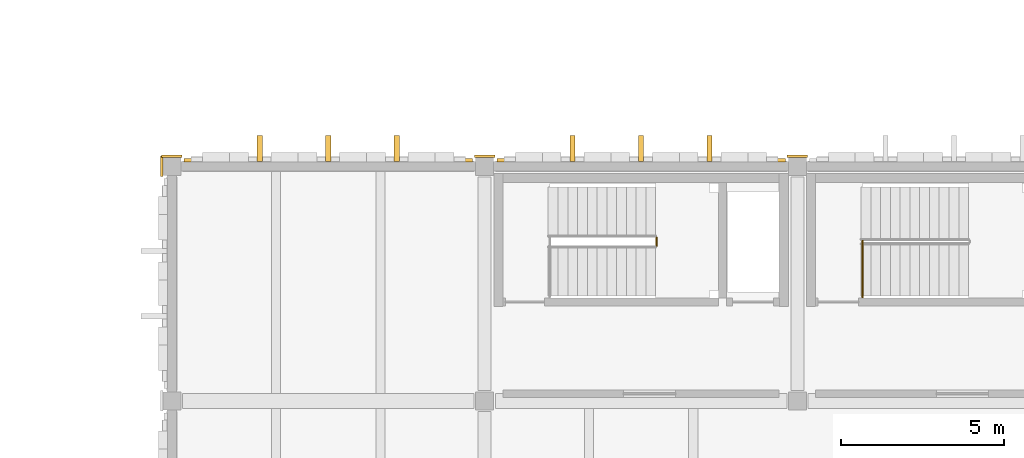
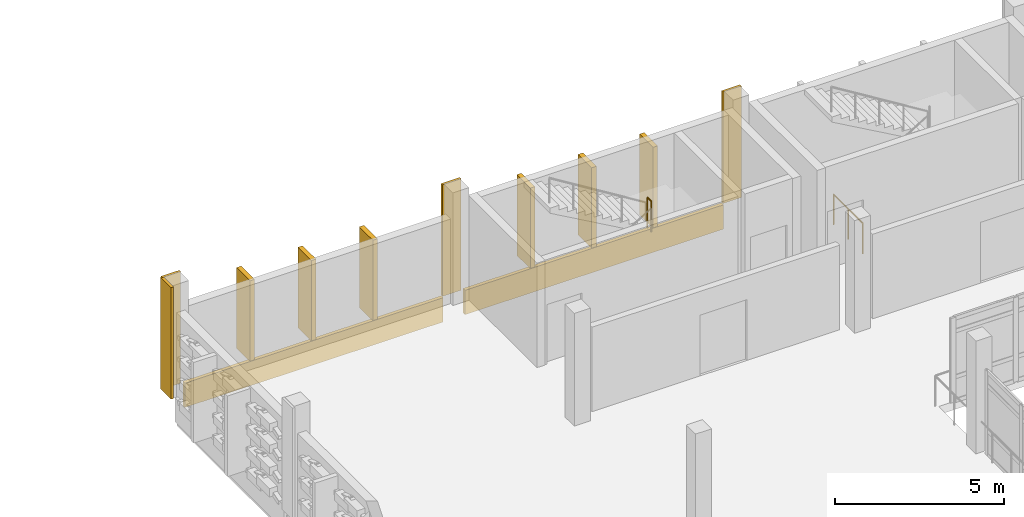
# One storey, part 63 of 72: 12 coverings, 2 railings.
"""IFC4 building model written with IfcOpenShell, lengths in metres."""

from ifc_helpers import new_model, si_unit, direction, frame, origin, origin_2d, place, context, subcontext, project, spatial, rectangle, circle, extrude, material, layer, layer_set, type_object, element, save


model = new_model("IFC4")

# Units and contexts
model_context = context("Model", 3, precision=1e-05, world=origin(), true_north=direction((0.0, 1.0)))
body_context = subcontext(model_context, "Body", "Model", "MODEL_VIEW")
ifc_project = project(units=[si_unit("LENGTHUNIT", "METRE"), si_unit("AREAUNIT", "SQUARE_METRE"), si_unit("VOLUMEUNIT", "CUBIC_METRE"), si_unit("PLANEANGLEUNIT", "RADIAN"), si_unit("MASSUNIT", "GRAM", prefix="KILO")], contexts=[model_context])

# Site, building, storey
site_placement = place(None, origin())
site = spatial("IfcSite", under=ifc_project, at=site_placement, CompositionType="ELEMENT")
building_placement = place(site_placement, origin())
building = spatial("IfcBuilding", under=site, at=building_placement, Name="Asteropetra Specialist Clinic", CompositionType="ELEMENT")
storey_placement = place(building_placement, frame((0.0, 0.0, 12.580078125)))
storey = spatial("IfcBuildingStorey", under=building, at=storey_placement, Name="L03", CompositionType="ELEMENT", Elevation=12.580078125)

# Coverings
ifc_material_1 = material(Name="Chevron sage")
ifc_layer_1 = layer(ifc_material_1, 0.1201171875)
ifc_layer_set_1 = layer_set([ifc_layer_1], Name="Chevron sage")
covering_type_1 = type_object("IfcCoveringType", Name="CLD-AEG-SAGE", PredefinedType="CLADDING", material=ifc_layer_set_1)
for number, where, z_axis, x_axis, name in (
    (1, (110.39990234375, 48.1875, -0.800048828125), (0.0, 0.0, 1.0), (1.0, 0.0, 0.0), "Chevron Spandrel Band CV-2276"),
    (2, (120.0, 48.1875, -0.800048828125), (0.0, 0.0, 1.0), (1.0, 0.0, 0.0), "Chevron Spandrel Band CV-2278"),
):
    element("IfcCovering", number, at=place(storey_placement, frame(where, z_axis=z_axis, x_axis=x_axis)), inside=storey, type_object=covering_type_1, Name=name, PredefinedType="CLADDING", context=body_context, shape_type="SweptSolid", body=[
        extrude(rectangle(XDim=8.85009765625, YDim=0.1201171875, at=origin_2d()), origin(), (0.0, 0.0, 1.0), 0.8798828125),
    ])
ifc_material_2 = material(Name="Pentelic marble ashlar", Category="masonry")
ifc_layer_2 = layer(ifc_material_2, 0.159912109375)
ifc_layer_set_2 = layer_set([ifc_layer_2], Name="Pentelic marble ashlar")
covering_type_2 = type_object("IfcCoveringType", Name="CRN-ENTAB-600", PredefinedType="MOLDING", material=ifc_layer_set_2)
covering_1_placement = place(storey_placement, frame((105.60009765625, 48.306884765625, 0.02001953125), z_axis=(0.0, 0.0, 1.0), x_axis=(1.0, 0.0, 0.0)))
element("IfcCovering", 3, at=covering_1_placement, inside=storey, type_object=covering_type_2, Name="Neoclassical Pilaster Facing CM-1145", PredefinedType="MOLDING", context=body_context, shape_type="SweptSolid", body=[
    extrude(rectangle(XDim=0.6298828125, YDim=0.080078125, at=origin_2d()), origin(), (0.0, 0.0, 1.0), 4.0400390625),
])
covering_2_placement = place(storey_placement, frame((105.29296875, 48.0, 0.02001953125), z_axis=(0.0, 0.0, 1.0), x_axis=(1.0, 0.0, 0.0)))
element("IfcCovering", 4, at=covering_2_placement, inside=storey, type_object=covering_type_2, Name="Neoclassical Pilaster Facing CM-1146", PredefinedType="MOLDING", context=body_context, shape_type="SweptSolid", body=[
    extrude(rectangle(XDim=0.080078125, YDim=0.6298828125, at=origin_2d()), origin(), (0.0, 0.0, 1.0), 4.0400390625),
])
for number, where, z_axis, x_axis, name in (
    (5, (115.199951171875, 48.306884765625, 0.02001953125), (0.0, 0.0, 1.0), (1.0, 0.0, 0.0), "Neoclassical Pilaster Facing CM-1148"),
    (6, (124.800048828125, 48.306884765625, 0.02001953125), (0.0, 0.0, 1.0), (1.0, 0.0, 0.0), "Neoclassical Pilaster Facing CM-1150"),
):
    element("IfcCovering", number, at=place(storey_placement, frame(where, z_axis=z_axis, x_axis=x_axis)), inside=storey, type_object=covering_type_2, Name=name, PredefinedType="MOLDING", context=body_context, shape_type="SweptSolid", body=[
        extrude(rectangle(XDim=0.6298828125, YDim=0.080078125, at=origin_2d()), origin(), (0.0, 0.0, 1.0), 4.0400390625),
    ])
ifc_material_3 = material(Name="Pentelic marble solar fin", Category="masonry")
ifc_layer_3 = layer(ifc_material_3, 0.080078125)
ifc_layer_set_3 = layer_set([ifc_layer_3], Name="Pentelic marble solar fin")
covering_type_3 = type_object("IfcCoveringType", Name="FIN-SOLAR-800", PredefinedType="MOLDING", material=ifc_layer_set_3)
for number, where, z_axis, x_axis, name in (
    (7, (112.50244140625, 48.54248046875, 0.070068359375), (0.0, 0.0, 1.0), (1.0, 0.0, 0.0), "Solar Shading Fin FN-0219"),
    (8, (110.39990234375, 48.54248046875, 0.070068359375), (0.0, 0.0, 1.0), (1.0, 0.0, 0.0), "Solar Shading Fin FN-0220"),
    (9, (108.297607421875, 48.54248046875, 0.070068359375), (0.0, 0.0, 1.0), (1.0, 0.0, 0.0), "Solar Shading Fin FN-0221"),
    (10, (122.1025390625, 48.54248046875, 0.070068359375), (0.0, 0.0, 1.0), (1.0, 0.0, 0.0), "Solar Shading Fin FN-0225"),
    (11, (120.0, 48.54248046875, 0.070068359375), (0.0, 0.0, 1.0), (1.0, 0.0, 0.0), "Solar Shading Fin FN-0226"),
    (12, (117.8974609375, 48.54248046875, 0.070068359375), (0.0, 0.0, 1.0), (1.0, 0.0, 0.0), "Solar Shading Fin FN-0227"),
):
    element("IfcCovering", number, at=place(storey_placement, frame(where, z_axis=z_axis, x_axis=x_axis)), inside=storey, type_object=covering_type_3, Name=name, PredefinedType="MOLDING", context=body_context, shape_type="SweptSolid", body=[
        extrude(rectangle(XDim=0.159912109375, YDim=0.800048828125, at=origin_2d()), origin(), (0.0, 0.0, 1.0), 2.919921875),
    ])

# Railings
ifc_material_4 = material(Name="Steel S355 and laminated glass guard", Category="steel")
railing_type = type_object("IfcRailingType", Name="GRD-INT-1120", PredefinedType="GUARDRAIL", material=ifc_material_4)
railing_1_placement = place(storey_placement, frame((126.800048828125, 43.97998046875, 0.0)))
element("IfcRailing", 13, at=railing_1_placement, inside=storey, type_object=railing_type, Name="Stair Well Guard ST09-L02", PredefinedType="GUARDRAIL", context=body_context, shape_type="SweptSolid", body=[
    extrude(circle(Radius=0.02392578125, at=origin_2d()), frame((0.0, 0.0, 1.09619140625), z_axis=(0.0, 1.0, 0.0), x_axis=(-1.0, 0.0, 0.0)), (0.0, 0.0, 1.0), 1.72998046875),
    extrude(circle(Radius=0.02099609375, at=origin_2d()), origin(), (0.0, 0.0, 1.0), 1.072021484375),
    extrude(circle(Radius=0.02099609375, at=origin_2d()), frame((0.0, 0.864990234375, 0.0)), (0.0, 0.0, 1.0), 1.072021484375),
    extrude(circle(Radius=0.02099609375, at=origin_2d()), frame((0.0, 1.72998046875, 0.0)), (0.0, 0.0, 1.0), 1.072021484375),
])
railing_2_placement = place(storey_placement, frame((120.47998046875, 45.570068359375, 2.0400390625)))
element("IfcRailing", 14, at=railing_2_placement, inside=storey, type_object=railing_type, Name="Landing Slot Guard ST10-L03", PredefinedType="GUARDRAIL", context=body_context, shape_type="SweptSolid", body=[
    extrude(circle(Radius=0.02392578125, at=origin_2d()), frame((0.0, 0.0, 1.09619140625), z_axis=(0.0, 1.0, 0.0), x_axis=(-1.0, 0.0, 0.0)), (0.0, 0.0, 1.0), 0.239990234375),
    extrude(circle(Radius=0.02099609375, at=origin_2d()), origin(), (0.0, 0.0, 1.0), 1.072021484375),
    extrude(circle(Radius=0.02099609375, at=origin_2d()), frame((0.0, 0.239990234375, 0.0)), (0.0, 0.0, 1.0), 1.072021484375),
])

save(model, "model.ifc")
